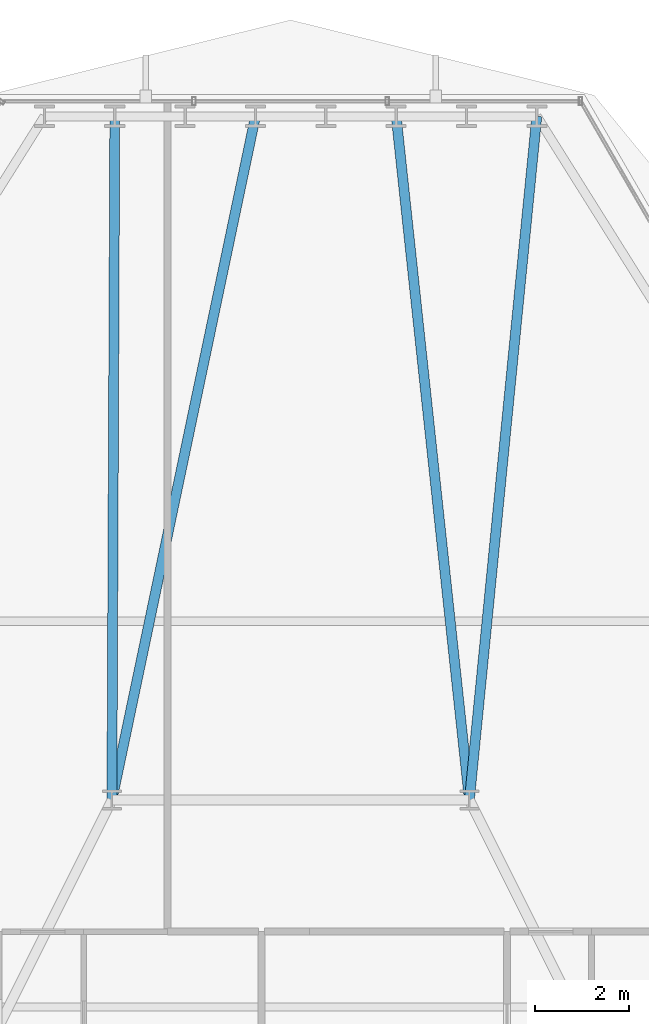
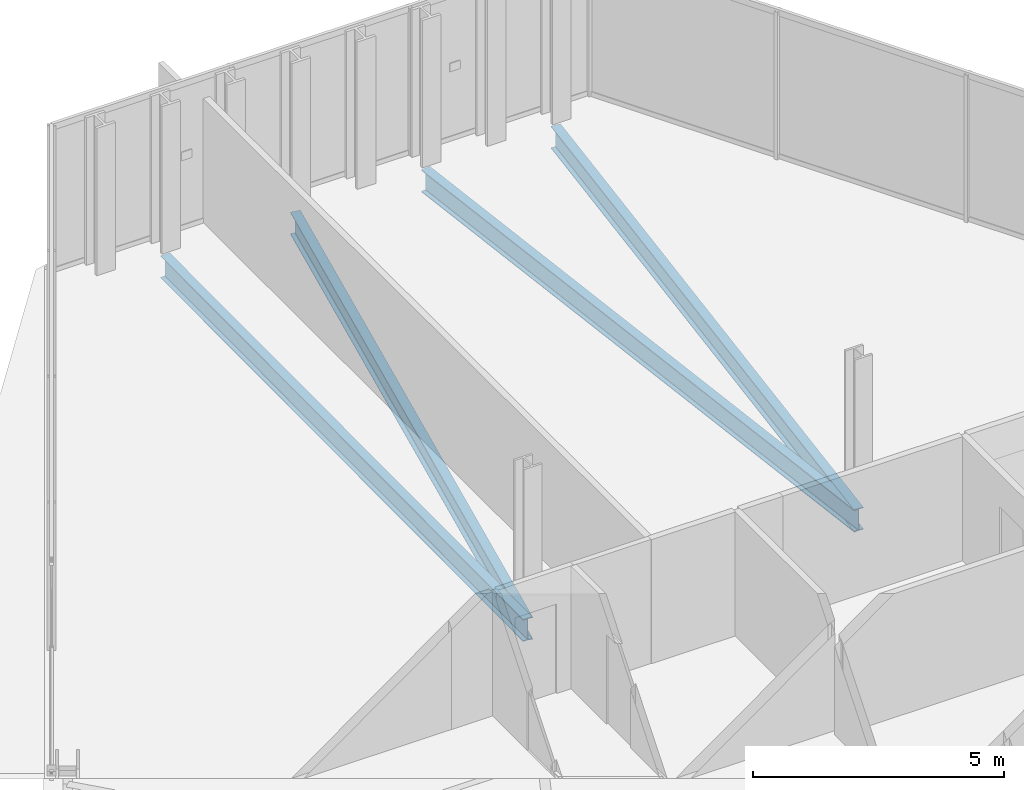
# One storey, part 23 of 36: 4 beams.
"""IFC4 building model written with IfcOpenShell, lengths in metres."""

from ifc_helpers import new_model, si_unit, direction, frame, origin, origin_2d, place, context, subcontext, project, spatial, i_section, extrude, material, material_profile, profile_set, type_object, element, save


model = new_model("IFC4")

# Units and contexts
model_context = context("Model", 3, precision=1e-05, world=origin(), true_north=direction((0.0, 1.0)))
body_context = subcontext(model_context, "Body", "Model", "MODEL_VIEW")
ifc_project = project(units=[si_unit("LENGTHUNIT", "METRE"), si_unit("AREAUNIT", "SQUARE_METRE"), si_unit("VOLUMEUNIT", "CUBIC_METRE"), si_unit("PLANEANGLEUNIT", "RADIAN"), si_unit("MASSUNIT", "GRAM", prefix="KILO")], contexts=[model_context])

# Site, building, storey
site_placement = place(None, origin())
site = spatial("IfcSite", under=ifc_project, at=site_placement, CompositionType="ELEMENT")
building_placement = place(site_placement, origin())
building = spatial("IfcBuilding", under=site, at=building_placement, Name="Ndaravel Arena Tower", CompositionType="ELEMENT")
storey_placement = place(building_placement, frame((0.0, 0.0, 127.0)))
storey = spatial("IfcBuildingStorey", under=building, at=storey_placement, Name="L29", CompositionType="ELEMENT", Elevation=127.0)

# Beams
ifc_material = material(Name="Steel S355", Category="steel")
ifc_material_profile = material_profile(ifc_material, i_section(OverallWidth=0.210693359375, OverallDepth=0.53955078125, WebThickness=0.01171875, FlangeThickness=0.018798828125, FilletRadius=0.0126953125, at=origin_2d()), Name="UB 533x210x109")
ifc_profile_set = profile_set([ifc_material_profile], Name="Steel S355")
beam_type = type_object("IfcBeamType", Name="BM-GIRD-UB533", PredefinedType="BEAM", material=ifc_profile_set)
beam_1_placement = place(storey_placement, frame((47.234375, 45.736083984375, -0.48974609375), z_axis=(-0.098196280092, -0.995167066666, 0.0), x_axis=(0.995167066666, -0.098196280092, 0.0)))
element("IfcBeam", 1, at=beam_1_placement, inside=storey, type_object=beam_type, Name="L29 Radial Floor Girder FG-11", PredefinedType="BEAM", context=body_context, shape_type="SweptSolid", body=[
    extrude(i_section(OverallWidth=0.210693359375, OverallDepth=0.53955078125, WebThickness=0.01171875, FlangeThickness=0.018798828125, FilletRadius=0.0126953125, at=origin_2d()), origin(), (0.0, 0.0, 1.0), 14.606689453125),
])
beam_2_placement = place(storey_placement, frame((44.243408203125, 45.736083984375, -0.48974609375), z_axis=(0.106478874965, -0.99431496478, 0.0), x_axis=(0.99431496478, 0.106478874965, 0.0)))
element("IfcBeam", 2, at=beam_2_placement, inside=storey, type_object=beam_type, Name="L29 Radial Floor Girder FG-13", PredefinedType="BEAM", context=body_context, shape_type="SweptSolid", body=[
    extrude(i_section(OverallWidth=0.210693359375, OverallDepth=0.53955078125, WebThickness=0.01171875, FlangeThickness=0.018798828125, FilletRadius=0.0126953125, at=origin_2d()), origin(), (0.0, 0.0, 1.0), 14.619140625),
])
beam_3_placement = place(storey_placement, frame((41.252197265625, 45.736083984375, -0.48974609375), z_axis=(-0.205495194411, -0.978658124717, 0.0), x_axis=(0.978658124717, -0.205495194411, 0.0)))
element("IfcBeam", 3, at=beam_3_placement, inside=storey, type_object=beam_type, Name="L29 Radial Floor Girder FG-15", PredefinedType="BEAM", context=body_context, shape_type="SweptSolid", body=[
    extrude(i_section(OverallWidth=0.210693359375, OverallDepth=0.53955078125, WebThickness=0.01171875, FlangeThickness=0.018798828125, FilletRadius=0.0126953125, at=origin_2d()), origin(), (0.0, 0.0, 1.0), 14.85302734375),
])
beam_4_placement = place(storey_placement, frame((38.26123046875, 45.736083984375, -0.48974609375), z_axis=(-0.004215615883, -0.999991114252, 0.0), x_axis=(0.999991114252, -0.004215615883, 0.0)))
element("IfcBeam", 4, at=beam_4_placement, inside=storey, type_object=beam_type, Name="L29 Radial Floor Girder FG-17", PredefinedType="BEAM", context=body_context, shape_type="SweptSolid", body=[
    extrude(i_section(OverallWidth=0.210693359375, OverallDepth=0.53955078125, WebThickness=0.01171875, FlangeThickness=0.018798828125, FilletRadius=0.0126953125, at=origin_2d()), origin(), (0.0, 0.0, 1.0), 14.536376953125),
])

save(model, "model.ifc")
